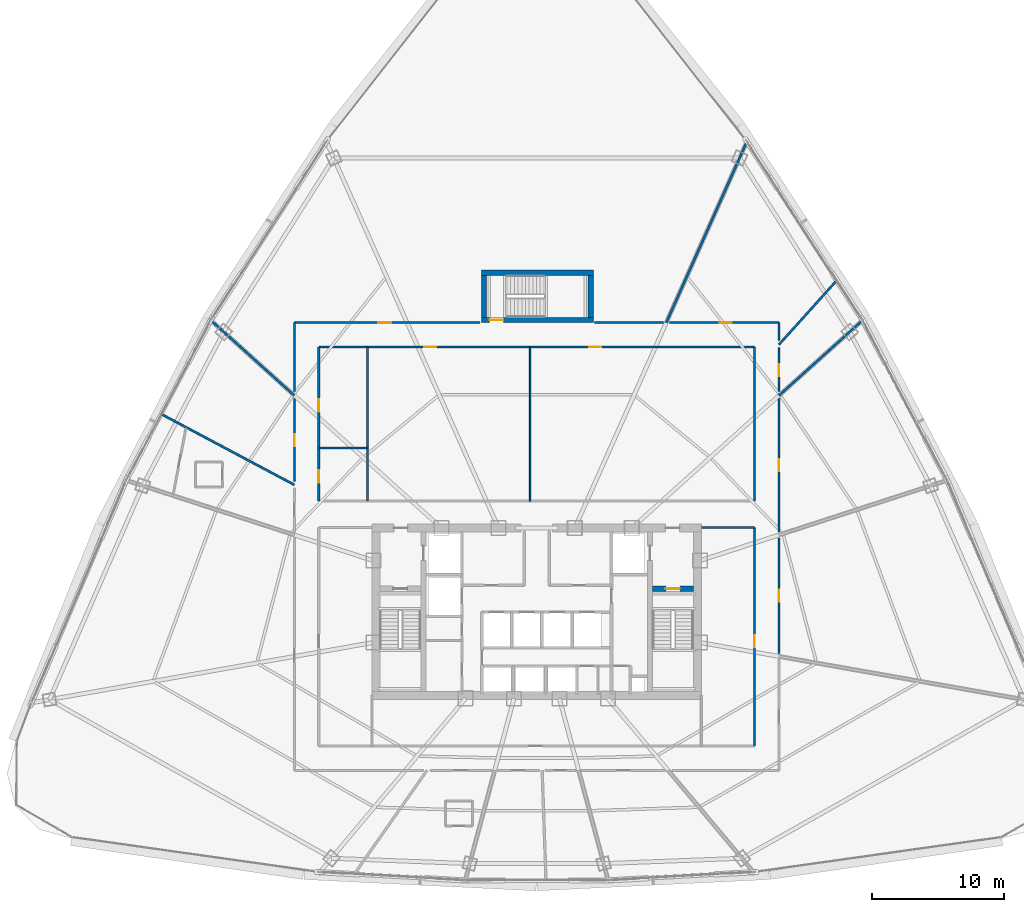
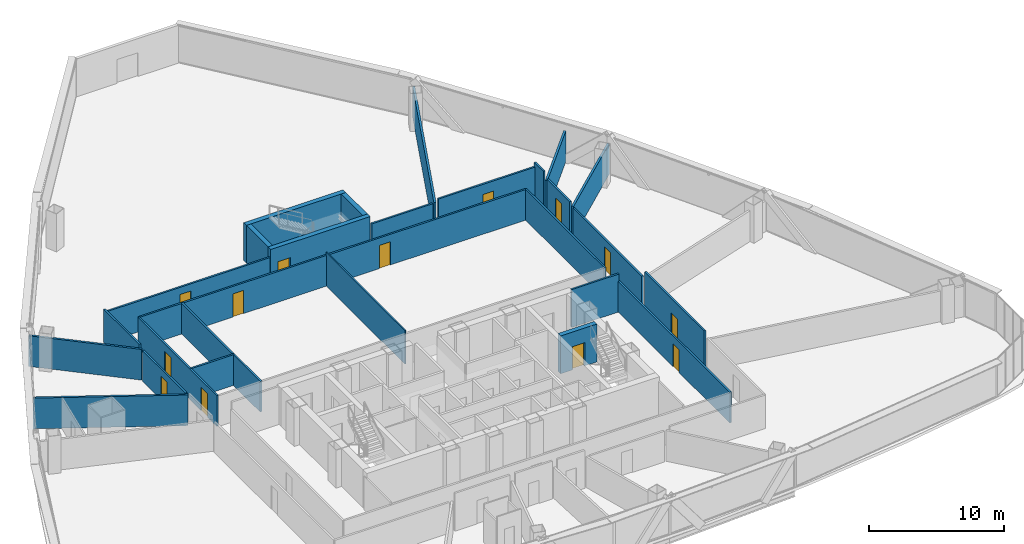
# One storey, part 36 of 41: 27 walls, 13 doors, 13 openings.
"""IFC4 building model written with IfcOpenShell, lengths in metres."""

from ifc_helpers import new_model, si_unit, direction, frame, frame_2d, origin, origin_with_axes, place, context, subcontext, project, spatial, rectangle, extrude, source, transform, mapped, material, layer, layer_set, type_object, element, fill, save


model = new_model("IFC4")

# Units and contexts
model_context = context("Model", 3, precision=1e-05, world=origin(), true_north=direction((0.0, 1.0)))
body_context = subcontext(model_context, "Body", "Model", "MODEL_VIEW")
ifc_project = project(units=[si_unit("LENGTHUNIT", "METRE"), si_unit("AREAUNIT", "SQUARE_METRE"), si_unit("VOLUMEUNIT", "CUBIC_METRE"), si_unit("PLANEANGLEUNIT", "RADIAN"), si_unit("MASSUNIT", "GRAM", prefix="KILO"), si_unit("THERMODYNAMICTEMPERATUREUNIT", "KELVIN"), si_unit("POWERUNIT", "WATT")], contexts=[model_context])

# Site, building, storey
site_placement = place(None, origin())
site = spatial("IfcSite", under=ifc_project, at=site_placement, CompositionType="ELEMENT")
building_placement = place(site_placement, origin())
building = spatial("IfcBuilding", under=site, at=building_placement, Name="Yunzhuo Pagoda Commons", CompositionType="ELEMENT")
storey_placement = place(building_placement, frame((0.0, 0.0, 155.590087890625)))
storey = spatial("IfcBuildingStorey", under=building, at=storey_placement, Name="L39", CompositionType="ELEMENT", Elevation=155.590087890625)

# Wall, openings, doors
ifc_material_1 = material(Name="Gypsum plasterboard on acoustic stud")
ifc_layer_1 = layer(ifc_material_1, 0.155029296875)
ifc_layer_set_1 = layer_set([ifc_layer_1], Name="Gypsum plasterboard on acoustic stud")
wall_type_1 = type_object("IfcWallType", Name="W-COR2 Mid-Zone Rated Corridor Wall 155", PredefinedType="PARTITIONING", material=ifc_layer_set_1)
wall_1_placement = place(storey_placement, frame((31.449951171875, 53.949951171875, 0.0), z_axis=(0.0, 0.0, 1.0), x_axis=(1.0, 0.0, 0.0)))
wall_1 = element("IfcWall", 1, at=wall_1_placement, inside=storey, type_object=wall_type_1, Name="L39 interior wall IW-L39-MCNN", PredefinedType="PARTITIONING", context=body_context, shape_type="SweptSolid", body=[
    extrude(rectangle(XDim=33.10009765625, YDim=0.155029296875, at=frame_2d((16.550048828125, 0.0))), origin(), (0.0, 0.0, 1.0), 2.77001953125),
])
opening_1_placement = place(wall_1_placement, frame((8.0, 0.0, 0.0)))
opening_1 = element("IfcOpeningElement", 2, at=opening_1_placement, cuts=wall_1, Name="Opening D-04", PredefinedType="OPENING", context=body_context, shape_type="SweptSolid", body=[
    extrude(rectangle(XDim=0.919921875, YDim=2.10009765625, at=frame_2d((0.4599609375, 1.050048828125))), frame((0.0, 0.08740234375, 0.0), z_axis=(0.0, -1.0, 0.0), x_axis=(1.0, 0.0, 0.0)), (0.0, 0.0, 1.0), 0.175048828125),
])
opening_2_placement = place(wall_1_placement, frame((20.550048828125, 0.0, 0.0)))
opening_2 = element("IfcOpeningElement", 3, at=opening_2_placement, cuts=wall_1, Name="Opening D-04", PredefinedType="OPENING", context=body_context, shape_type="SweptSolid", body=[
    extrude(rectangle(XDim=0.919921875, YDim=2.10009765625, at=frame_2d((0.4599609375, 1.050048828125))), frame((0.0, 0.08740234375, 0.0), z_axis=(0.0, -1.0, 0.0), x_axis=(1.0, 0.0, 0.0)), (0.0, 0.0, 1.0), 0.175048828125),
])
ifc_material_2 = material(Name="Powder-coated aluminium and timber acoustic leaf", Category="wood")
door_type_1 = type_object("IfcDoorType", Name="D-04 Bedroom & Study Interior Door 920x2100", OperationType="NOTDEFINED", PredefinedType="DOOR", material=ifc_material_2)
shared_shape_1 = source(origin(), body_context, "Body", "SweptSolid", [
    extrude(rectangle(XDim=0.919921875, YDim=2.10009765625, at=frame_2d((0.4599609375, 1.050048828125))), frame((0.0, 0.02490234375, 0.0), z_axis=(0.0, -1.0, 0.0), x_axis=(1.0, 0.0, 0.0)), (0.0, 0.0, 1.0), 0.050048828125),
])
door_1_placement = place(opening_1_placement, origin_with_axes())
door_1 = element("IfcDoor", 4, at=door_1_placement, inside=storey, type_object=door_type_1, Name="L39 reading commons door", OperationType="SINGLE_SWING_LEFT", OverallHeight=2.10009765625, OverallWidth=0.919921875, PredefinedType="DOOR", context=body_context, shape_type="MappedRepresentation", body=[
    mapped(shared_shape_1, transform((0.0, 0.0, 0.0), scale=1.0)),
])
fill(opening_1, door_1)
door_2_placement = place(opening_2_placement, origin_with_axes())
door_2 = element("IfcDoor", 5, at=door_2_placement, inside=storey, type_object=door_type_1, Name="L39 seminar commons door", OperationType="SINGLE_SWING_RIGHT", OverallHeight=2.10009765625, OverallWidth=0.919921875, PredefinedType="DOOR", context=body_context, shape_type="MappedRepresentation", body=[
    mapped(shared_shape_1, transform((0.0, 0.0, 0.0), scale=1.0)),
])
fill(opening_2, door_2)

wall_2_placement = place(storey_placement, frame((31.449951171875, 42.25, 0.0), z_axis=(0.0, 0.0, 1.0), x_axis=(0.0, 1.0, 0.0)))
wall_2 = element("IfcWall", 6, at=wall_2_placement, inside=storey, type_object=wall_type_1, Name="L39 interior wall IW-L39-MCNW", PredefinedType="PARTITIONING", context=body_context, shape_type="SweptSolid", body=[
    extrude(rectangle(XDim=11.699951171875, YDim=0.155029296875, at=frame_2d((5.85009765625, 0.0))), origin(), (0.0, 0.0, 1.0), 2.77001953125),
])
opening_3_placement = place(wall_2_placement, frame((1.39990234375, 0.0, 0.0)))
opening_3 = element("IfcOpeningElement", 7, at=opening_3_placement, cuts=wall_2, Name="Opening D-11", PredefinedType="OPENING", context=body_context, shape_type="SweptSolid", body=[
    extrude(rectangle(XDim=0.93994140625, YDim=2.10009765625, at=frame_2d((0.469970703125, 1.050048828125))), frame((0.0, 0.08740234375, 0.0), z_axis=(0.0, -1.0, 0.0), x_axis=(1.0, 0.0, 0.0)), (0.0, 0.0, 1.0), 0.175048828125),
])
opening_4_placement = place(wall_2_placement, frame((6.800048828125, 0.0, 0.0)))
opening_4 = element("IfcOpeningElement", 8, at=opening_4_placement, cuts=wall_2, Name="Opening D-04", PredefinedType="OPENING", context=body_context, shape_type="SweptSolid", body=[
    extrude(rectangle(XDim=0.919921875, YDim=2.10009765625, at=frame_2d((0.4599609375, 1.050048828125))), frame((0.0, 0.08740234375, 0.0), z_axis=(0.0, -1.0, 0.0), x_axis=(1.0, 0.0, 0.0)), (0.0, 0.0, 1.0), 0.175048828125),
])
ifc_material_3 = material(Name="Galvanized fire-resisting metal leaf")
door_type_2 = type_object("IfcDoorType", Name="D-11 Accessible Washroom Fire Door 940x2100", OperationType="NOTDEFINED", PredefinedType="DOOR", material=ifc_material_3)
shared_shape_2 = source(origin(), body_context, "Body", "SweptSolid", [
    extrude(rectangle(XDim=0.93994140625, YDim=2.10009765625, at=frame_2d((0.469970703125, 1.050048828125))), frame((0.0, 0.02490234375, 0.0), z_axis=(0.0, -1.0, 0.0), x_axis=(1.0, 0.0, 0.0)), (0.0, 0.0, 1.0), 0.050048828125),
])
door_3_placement = place(opening_3_placement, origin_with_axes())
door_3 = element("IfcDoor", 9, at=door_3_placement, inside=storey, type_object=door_type_2, Name="L39 accessible WC door", OperationType="SINGLE_SWING_LEFT", OverallHeight=2.10009765625, OverallWidth=0.93994140625, PredefinedType="DOOR", context=body_context, shape_type="MappedRepresentation", body=[
    mapped(shared_shape_2, transform((0.0, 0.0, 0.0), scale=1.0)),
])
fill(opening_3, door_3)
door_4_placement = place(opening_4_placement, origin_with_axes())
door_4 = element("IfcDoor", 10, at=door_4_placement, inside=storey, type_object=door_type_1, Name="L39 laundry door", OperationType="SINGLE_SWING_RIGHT", OverallHeight=2.10009765625, OverallWidth=0.919921875, PredefinedType="DOOR", context=body_context, shape_type="MappedRepresentation", body=[
    mapped(shared_shape_1, transform((0.0, 0.0, 0.0), scale=1.0)),
])
fill(opening_4, door_4)

# Walls
for number, where, z_axis, x_axis, name in (
    (11, (64.550048828125, 42.25, 0.0), (0.0, 0.0, 1.0), (0.0, 1.0, 0.0), "L39 interior wall IW-L39-MCNE"),
    (12, (35.14990234375, 42.25, 0.0), (0.0, 0.0, 1.0), (0.0, 1.0, 0.0), "L39 interior wall IW-L39-MCWCE"),
):
    element("IfcWall", number, at=place(storey_placement, frame(where, z_axis=z_axis, x_axis=x_axis)), inside=storey, type_object=wall_type_1, Name=name, PredefinedType="PARTITIONING", context=body_context, shape_type="SweptSolid", body=[
        extrude(rectangle(XDim=11.699951171875, YDim=0.155029296875, at=frame_2d((5.85009765625, 0.0))), origin(), (0.0, 0.0, 1.0), 2.77001953125),
    ])
wall_3_placement = place(storey_placement, frame((31.449951171875, 46.300048828125, 0.0), z_axis=(0.0, 0.0, 1.0), x_axis=(1.0, 0.0, 0.0)))
element("IfcWall", 13, at=wall_3_placement, inside=storey, type_object=wall_type_1, Name="L39 interior wall IW-L39-MCWCN", PredefinedType="PARTITIONING", context=body_context, shape_type="SweptSolid", body=[
    extrude(rectangle(XDim=3.699951171875, YDim=0.155029296875, at=frame_2d((1.85009765625, 0.0))), origin(), (0.0, 0.0, 1.0), 2.77001953125),
])

# Wall, opening, door
wall_4_placement = place(storey_placement, frame((64.550048828125, 23.64990234375, 0.0), z_axis=(0.0, 0.0, 1.0), x_axis=(0.0, 1.0, 0.0)))
wall_4 = element("IfcWall", 14, at=wall_4_placement, inside=storey, type_object=wall_type_1, Name="L39 interior wall IW-L39-SFLE", PredefinedType="PARTITIONING", context=body_context, shape_type="SweptSolid", body=[
    extrude(rectangle(XDim=16.60009765625, YDim=0.155029296875, at=frame_2d((8.300048828125, 0.0))), origin(), (0.0, 0.0, 1.0), 2.77001953125),
])
opening_5_placement = place(wall_4_placement, frame((7.5, 0.0, 0.0)))
opening_5 = element("IfcOpeningElement", 15, at=opening_5_placement, cuts=wall_4, Name="Opening D-12", PredefinedType="OPENING", context=body_context, shape_type="SweptSolid", body=[
    extrude(rectangle(XDim=0.89990234375, YDim=2.080078125, at=frame_2d((0.449951171875, 1.0400390625))), frame((0.0, 0.08740234375, 0.0), z_axis=(0.0, -1.0, 0.0), x_axis=(1.0, 0.0, 0.0)), (0.0, 0.0, 1.0), 0.175048828125),
])
door_type_3 = type_object("IfcDoorType", Name="D-12 Quiet Study Interior Door 900x2080", OperationType="NOTDEFINED", PredefinedType="DOOR", material=ifc_material_2)
shared_shape_3 = source(origin(), body_context, "Body", "SweptSolid", [
    extrude(rectangle(XDim=0.89990234375, YDim=2.080078125, at=frame_2d((0.449951171875, 1.0400390625))), frame((0.0, 0.02490234375, 0.0), z_axis=(0.0, -1.0, 0.0), x_axis=(1.0, 0.0, 0.0)), (0.0, 0.0, 1.0), 0.050048828125),
])
door_5_placement = place(opening_5_placement, frame((0.89990234375, 0.0, 0.0), z_axis=(0.0, 0.0, 1.0), x_axis=(-1.0, 0.0, 0.0)))
door_5 = element("IfcDoor", 16, at=door_5_placement, inside=storey, type_object=door_type_3, Name="L39 east study workroom door", OperationType="SINGLE_SWING_RIGHT", OverallHeight=2.080078125, OverallWidth=0.89990234375, PredefinedType="DOOR", context=body_context, shape_type="MappedRepresentation", body=[
    mapped(shared_shape_3, transform((0.0, 0.0, 0.0), scale=1.0)),
])
fill(opening_5, door_5)

# Wall
wall_5_placement = place(storey_placement, frame((60.5, 40.25, 0.0), z_axis=(0.0, 0.0, 1.0), x_axis=(1.0, 0.0, 0.0)))
element("IfcWall", 17, at=wall_5_placement, inside=storey, type_object=wall_type_1, Name="L39 interior wall IW-L39-SFLNE", PredefinedType="PARTITIONING", context=body_context, shape_type="SweptSolid", body=[
    extrude(rectangle(XDim=4.050048828125, YDim=0.155029296875, at=frame_2d((2.02490234375, 0.0))), origin(), (0.0, 0.0, 1.0), 3.419921875),
])

# Wall, opening, door
wall_6_placement = place(storey_placement, frame((29.60009765625, 43.732666015625, 0.0), z_axis=(0.0, 0.0, 1.0), x_axis=(0.0, 1.0, 0.0)))
wall_6 = element("IfcWall", 18, at=wall_6_placement, inside=storey, type_object=wall_type_1, Name="L39 interior wall IW-L39-CWL03", PredefinedType="PARTITIONING", context=body_context, shape_type="SweptSolid", body=[
    extrude(rectangle(XDim=6.31494140625, YDim=0.155029296875, at=frame_2d((3.157470703125, 0.0))), origin(), (0.0, 0.0, 1.0), 2.77001953125),
])
opening_6_placement = place(wall_6_placement, frame((2.6826171875, 0.0, 0.0)))
opening_6 = element("IfcOpeningElement", 19, at=opening_6_placement, cuts=wall_6, Name="Opening D-04", PredefinedType="OPENING", context=body_context, shape_type="SweptSolid", body=[
    extrude(rectangle(XDim=0.919921875, YDim=2.10009765625, at=frame_2d((0.4599609375, 1.050048828125))), frame((0.0, 0.08740234375, 0.0), z_axis=(0.0, -1.0, 0.0), x_axis=(1.0, 0.0, 0.0)), (0.0, 0.0, 1.0), 0.175048828125),
])
door_6_placement = place(opening_6_placement, origin_with_axes())
door_6 = element("IfcDoor", 20, at=door_6_placement, inside=storey, type_object=door_type_1, Name="L39 seminar room 06 door", OperationType="SINGLE_SWING_RIGHT", OverallHeight=2.10009765625, OverallWidth=0.919921875, PredefinedType="DOOR", context=body_context, shape_type="MappedRepresentation", body=[
    mapped(shared_shape_1, transform((0.0, 0.0, 0.0), scale=1.0)),
])
fill(opening_6, door_6)

# Wall
wall_7_placement = place(storey_placement, frame((29.60009765625, 50.5634765625, 0.0), z_axis=(0.0, 0.0, 1.0), x_axis=(0.0, 1.0, 0.0)))
element("IfcWall", 21, at=wall_7_placement, inside=storey, type_object=wall_type_1, Name="L39 interior wall IW-L39-CWL04", PredefinedType="PARTITIONING", context=body_context, shape_type="SweptSolid", body=[
    extrude(rectangle(XDim=5.236572265625, YDim=0.155029296875, at=frame_2d((2.6181640625, 0.0))), origin(), (0.0, 0.0, 1.0), 3.02001953125),
])

# Wall, opening, door
wall_8_placement = place(storey_placement, frame((29.60009765625, 55.800048828125, 0.0), z_axis=(0.0, 0.0, 1.0), x_axis=(1.0, 0.0, 0.0)))
wall_8 = element("IfcWall", 22, at=wall_8_placement, inside=storey, type_object=wall_type_1, Name="L39 interior wall IW-L39-CWL05", PredefinedType="PARTITIONING", context=body_context, shape_type="SweptSolid", body=[
    extrude(rectangle(XDim=14.10888671875, YDim=0.155029296875, at=frame_2d((7.054443359375, 0.0))), origin(), (0.0, 0.0, 1.0), 2.77001953125),
])
opening_7_placement = place(wall_8_placement, frame((6.385009765625, 0.0, 0.0)))
opening_7 = element("IfcOpeningElement", 23, at=opening_7_placement, cuts=wall_8, Name="Opening D-07", PredefinedType="OPENING", context=body_context, shape_type="SweptSolid", body=[
    extrude(rectangle(XDim=0.9599609375, YDim=2.1201171875, at=frame_2d((0.47998046875, 1.06005859375))), frame((0.0, 0.08740234375, 0.0), z_axis=(0.0, -1.0, 0.0), x_axis=(1.0, 0.0, 0.0)), (0.0, 0.0, 1.0), 0.175048828125),
])
door_type_4 = type_object("IfcDoorType", Name="D-07 Mid-Zone Suite Entrance Fire Door 960x2120", OperationType="NOTDEFINED", PredefinedType="DOOR", material=ifc_material_3)
shared_shape_4 = source(origin(), body_context, "Body", "SweptSolid", [
    extrude(rectangle(XDim=0.9599609375, YDim=2.1201171875, at=frame_2d((0.47998046875, 1.06005859375))), frame((0.0, 0.02490234375, 0.0), z_axis=(0.0, -1.0, 0.0), x_axis=(1.0, 0.0, 0.0)), (0.0, 0.0, 1.0), 0.050048828125),
])
door_7_placement = place(opening_7_placement, origin_with_axes())
door_7 = element("IfcDoor", 24, at=door_7_placement, inside=storey, type_object=door_type_4, Name="L39 Shared Resident Kitchen and Pantry door", OperationType="SINGLE_SWING_LEFT", OverallHeight=2.1201171875, OverallWidth=0.9599609375, PredefinedType="DOOR", context=body_context, shape_type="MappedRepresentation", body=[
    mapped(shared_shape_4, transform((0.0, 0.0, 0.0), scale=1.0)),
])
fill(opening_7, door_7)

# Wall
wall_9_placement = place(storey_placement, frame((52.39111328125, 55.800048828125, 0.0), z_axis=(0.0, 0.0, 1.0), x_axis=(1.0, 0.0, 0.0)))
element("IfcWall", 25, at=wall_9_placement, inside=storey, type_object=wall_type_1, Name="L39 interior wall IW-L39-CWL06", PredefinedType="PARTITIONING", context=body_context, shape_type="SweptSolid", body=[
    extrude(rectangle(XDim=5.228759765625, YDim=0.155029296875, at=frame_2d((2.6142578125, 0.0))), origin(), (0.0, 0.0, 1.0), 2.77001953125),
])

# Wall, opening, door
wall_10_placement = place(storey_placement, frame((58.080322265625, 55.800048828125, 0.0), z_axis=(0.0, 0.0, 1.0), x_axis=(1.0, 0.0, 0.0)))
wall_10 = element("IfcWall", 26, at=wall_10_placement, inside=storey, type_object=wall_type_1, Name="L39 interior wall IW-L39-CWL07", PredefinedType="PARTITIONING", context=body_context, shape_type="SweptSolid", body=[
    extrude(rectangle(XDim=8.319580078125, YDim=0.155029296875, at=frame_2d((4.15966796875, 0.0))), origin(), (0.0, 0.0, 1.0), 3.02001953125),
])
opening_8_placement = place(wall_10_placement, frame((3.809326171875, 0.0, 0.0)))
opening_8 = element("IfcOpeningElement", 27, at=opening_8_placement, cuts=wall_10, Name="Opening D-04", PredefinedType="OPENING", context=body_context, shape_type="SweptSolid", body=[
    extrude(rectangle(XDim=0.919921875, YDim=2.10009765625, at=frame_2d((0.4599609375, 1.050048828125))), frame((0.0, 0.08740234375, 0.0), z_axis=(0.0, -1.0, 0.0), x_axis=(1.0, 0.0, 0.0)), (0.0, 0.0, 1.0), 0.175048828125),
])
door_8_placement = place(opening_8_placement, origin_with_axes())
door_8 = element("IfcDoor", 28, at=door_8_placement, inside=storey, type_object=door_type_1, Name="L39 seminar room 04 door", OperationType="SINGLE_SWING_RIGHT", OverallHeight=2.10009765625, OverallWidth=0.919921875, PredefinedType="DOOR", context=body_context, shape_type="MappedRepresentation", body=[
    mapped(shared_shape_1, transform((0.0, 0.0, 0.0), scale=1.0)),
])
fill(opening_8, door_8)

# Wall
wall_11_placement = place(storey_placement, frame((66.39990234375, 55.800048828125, 0.0), z_axis=(0.0, 0.0, 1.0), x_axis=(0.0, -1.0, 0.0)))
element("IfcWall", 29, at=wall_11_placement, inside=storey, type_object=wall_type_1, Name="L39 interior wall IW-L39-CWL08", PredefinedType="PARTITIONING", context=body_context, shape_type="SweptSolid", body=[
    extrude(rectangle(XDim=1.3359375, YDim=0.155029296875, at=frame_2d((0.66796875, 0.0))), origin(), (0.0, 0.0, 1.0), 3.419921875),
])

# Wall, opening, door
wall_12_placement = place(storey_placement, frame((66.39990234375, 53.91552734375, 0.0), z_axis=(0.0, 0.0, 1.0), x_axis=(0.0, -1.0, 0.0)))
wall_12 = element("IfcWall", 30, at=wall_12_placement, inside=storey, type_object=wall_type_1, Name="L39 interior wall IW-L39-CWL09", PredefinedType="PARTITIONING", context=body_context, shape_type="SweptSolid", body=[
    extrude(rectangle(XDim=3.35205078125, YDim=0.155029296875, at=frame_2d((1.676025390625, 0.0))), origin(), (0.0, 0.0, 1.0), 3.02001953125),
])
opening_9_placement = place(wall_12_placement, frame((1.254150390625, 0.0, 0.0)))
opening_9 = element("IfcOpeningElement", 31, at=opening_9_placement, cuts=wall_12, Name="Opening D-04", PredefinedType="OPENING", context=body_context, shape_type="SweptSolid", body=[
    extrude(rectangle(XDim=0.919921875, YDim=2.10009765625, at=frame_2d((0.4599609375, 1.050048828125))), frame((0.0, 0.08740234375, 0.0), z_axis=(0.0, -1.0, 0.0), x_axis=(1.0, 0.0, 0.0)), (0.0, 0.0, 1.0), 0.175048828125),
])
door_9_placement = place(opening_9_placement, origin_with_axes())
door_9 = element("IfcDoor", 32, at=door_9_placement, inside=storey, type_object=door_type_1, Name="L39 seminar room 03 door", OperationType="SINGLE_SWING_LEFT", OverallHeight=2.10009765625, OverallWidth=0.919921875, PredefinedType="DOOR", context=body_context, shape_type="MappedRepresentation", body=[
    mapped(shared_shape_1, transform((0.0, 0.0, 0.0), scale=1.0)),
])
fill(opening_9, door_9)

wall_13_placement = place(storey_placement, frame((66.39990234375, 50.047607421875, 0.0), z_axis=(0.0, 0.0, 1.0), x_axis=(0.0, -1.0, 0.0)))
wall_13 = element("IfcWall", 33, at=wall_13_placement, inside=storey, type_object=wall_type_1, Name="L39 interior wall IW-L39-CWL10", PredefinedType="PARTITIONING", context=body_context, shape_type="SweptSolid", body=[
    extrude(rectangle(XDim=10.1376953125, YDim=0.155029296875, at=frame_2d((5.06884765625, 0.0))), origin(), (0.0, 0.0, 1.0), 2.77001953125),
])
opening_10_placement = place(wall_13_placement, frame((4.61474609375, 0.0, 0.0)))
opening_10 = element("IfcOpeningElement", 34, at=opening_10_placement, cuts=wall_13, Name="Opening D-04", PredefinedType="OPENING", context=body_context, shape_type="SweptSolid", body=[
    extrude(rectangle(XDim=0.919921875, YDim=2.10009765625, at=frame_2d((0.4599609375, 1.050048828125))), frame((0.0, 0.08740234375, 0.0), z_axis=(0.0, -1.0, 0.0), x_axis=(1.0, 0.0, 0.0)), (0.0, 0.0, 1.0), 0.175048828125),
])
door_10_placement = place(opening_10_placement, origin_with_axes())
door_10 = element("IfcDoor", 35, at=door_10_placement, inside=storey, type_object=door_type_1, Name="L39 seminar room 02 door", OperationType="SINGLE_SWING_RIGHT", OverallHeight=2.10009765625, OverallWidth=0.919921875, PredefinedType="DOOR", context=body_context, shape_type="MappedRepresentation", body=[
    mapped(shared_shape_1, transform((0.0, 0.0, 0.0), scale=1.0)),
])
fill(opening_10, door_10)

wall_14_placement = place(storey_placement, frame((66.39990234375, 39.458740234375, 0.0), z_axis=(0.0, 0.0, 1.0), x_axis=(0.0, -1.0, 0.0)))
wall_14 = element("IfcWall", 36, at=wall_14_placement, inside=storey, type_object=wall_type_1, Name="L39 interior wall IW-L39-CWL11", PredefinedType="PARTITIONING", context=body_context, shape_type="SweptSolid", body=[
    extrude(rectangle(XDim=8.783447265625, YDim=0.155029296875, at=frame_2d((4.3916015625, 0.0))), origin(), (0.0, 0.0, 1.0), 3.419921875),
])
opening_11_placement = place(wall_14_placement, frame((3.931640625, 0.0, 0.0)))
opening_11 = element("IfcOpeningElement", 37, at=opening_11_placement, cuts=wall_14, Name="Opening D-04", PredefinedType="OPENING", context=body_context, shape_type="SweptSolid", body=[
    extrude(rectangle(XDim=0.919921875, YDim=2.10009765625, at=frame_2d((0.4599609375, 1.050048828125))), frame((0.0, 0.08740234375, 0.0), z_axis=(0.0, -1.0, 0.0), x_axis=(1.0, 0.0, 0.0)), (0.0, 0.0, 1.0), 0.175048828125),
])
door_11_placement = place(opening_11_placement, origin_with_axes())
door_11 = element("IfcDoor", 38, at=door_11_placement, inside=storey, type_object=door_type_1, Name="L39 seminar room 01 door", OperationType="SINGLE_SWING_LEFT", OverallHeight=2.10009765625, OverallWidth=0.919921875, PredefinedType="DOOR", context=body_context, shape_type="MappedRepresentation", body=[
    mapped(shared_shape_1, transform((0.0, 0.0, 0.0), scale=1.0)),
])
fill(opening_11, door_11)

# Walls
ifc_layer_2 = layer(ifc_material_1, 0.1201171875)
ifc_layer_set_2 = layer_set([ifc_layer_2], Name="Gypsum plasterboard on acoustic stud")
wall_type_2 = type_object("IfcWallType", Name="W-PRT1 Suite & Bathroom Partition 120", PredefinedType="PARTITIONING", material=ifc_layer_set_2)
wall_15_placement = place(storey_placement, frame((47.5, 42.25, 0.0), z_axis=(0.0, 0.0, 1.0), x_axis=(0.0, 1.0, 0.0)))
element("IfcWall", 39, at=wall_15_placement, inside=storey, type_object=wall_type_2, Name="L39 interior wall IW-L39-MCDIV", PredefinedType="PARTITIONING", context=body_context, shape_type="SweptSolid", body=[
    extrude(rectangle(XDim=11.699951171875, YDim=0.1201171875, at=frame_2d((5.85009765625, 0.0))), origin(), (0.0, 0.0, 1.0), 3.02001953125),
])
ifc_layer_3 = layer(ifc_material_1, 0.175048828125)
ifc_layer_set_3 = layer_set([ifc_layer_3], Name="Gypsum plasterboard on acoustic stud")
wall_type_3 = type_object("IfcWallType", Name="W-PRT3 Mid-Zone Demising Wall 175", PredefinedType="PARTITIONING", material=ifc_layer_set_3)
wall_16_placement = place(storey_placement, frame((66.39990234375, 50.267333984375, 0.0), z_axis=(0.0, 0.0, 1.0), x_axis=(0.743147926867, 0.669127161901, 0.0)))
element("IfcWall", 40, at=wall_16_placement, inside=storey, type_object=wall_type_3, Name="L39 interior wall IW-L39-RAD02", PredefinedType="PARTITIONING", context=body_context, shape_type="SweptSolid", body=[
    extrude(rectangle(XDim=8.552490234375, YDim=0.175048828125, at=frame_2d((4.2763671875, 0.0))), origin(), (0.0, 0.0, 1.0), 2.77001953125),
])
wall_17_placement = place(storey_placement, frame((66.39990234375, 54.13525390625, 0.0), z_axis=(0.0, 0.0, 1.0), x_axis=(0.669139250318, 0.74313704233, 0.0)))
element("IfcWall", 41, at=wall_17_placement, inside=storey, type_object=wall_type_3, Name="L39 interior wall IW-L39-RAD03", PredefinedType="PARTITIONING", context=body_context, shape_type="SweptSolid", body=[
    extrude(rectangle(XDim=6.56884765625, YDim=0.175048828125, at=frame_2d((3.284423828125, 0.0))), origin(), (0.0, 0.0, 1.0), 2.77001953125),
])
wall_18_placement = place(storey_placement, frame((57.839599609375, 55.800048828125, 0.0), z_axis=(0.0, 0.0, 1.0), x_axis=(0.406736829456, 0.913545374661, 0.0)))
element("IfcWall", 42, at=wall_18_placement, inside=storey, type_object=wall_type_3, Name="L39 interior wall IW-L39-RAD04", PredefinedType="PARTITIONING", context=body_context, shape_type="SweptSolid", body=[
    extrude(rectangle(XDim=15.06494140625, YDim=0.175048828125, at=frame_2d((7.532470703125, 0.0))), origin(), (0.0, 0.0, 1.0), 2.77001953125),
])
wall_19_placement = place(storey_placement, frame((29.60009765625, 50.267333984375, 0.0), z_axis=(0.0, 0.0, 1.0), x_axis=(-0.743147926867, 0.669127161901, 0.0)))
element("IfcWall", 43, at=wall_19_placement, inside=storey, type_object=wall_type_3, Name="L39 interior wall IW-L39-RAD05", PredefinedType="PARTITIONING", context=body_context, shape_type="SweptSolid", body=[
    extrude(rectangle(XDim=8.552490234375, YDim=0.175048828125, at=frame_2d((4.2763671875, 0.0))), origin(), (0.0, 0.0, 1.0), 2.77001953125),
])
wall_20_placement = place(storey_placement, frame((29.60009765625, 43.4833984375, 0.0), z_axis=(0.0, 0.0, 1.0), x_axis=(-0.882944706502, 0.469476991193, 0.0)))
element("IfcWall", 44, at=wall_20_placement, inside=storey, type_object=wall_type_3, Name="L39 interior wall IW-L39-RAD06", PredefinedType="PARTITIONING", context=body_context, shape_type="SweptSolid", body=[
    extrude(rectangle(XDim=11.464111328125, YDim=0.175048828125, at=frame_2d((5.73193359375, 0.0))), origin(), (0.0, 0.0, 1.0), 2.77001953125),
])

# Wall, opening, door
ifc_material_4 = material(Name="Concrete C60", Category="concrete")
ifc_layer_4 = layer(ifc_material_4, 0.39990234375)
ifc_layer_set_4 = layer_set([ifc_layer_4], Name="Concrete C60")
wall_type_4 = type_object("IfcWallType", Name="W-S01 Internal Core Shear Web 400", PredefinedType="SHEAR", material=ifc_layer_set_4)
wall_21_placement = place(storey_placement, frame((56.800048828125, 35.60009765625, 0.0), z_axis=(0.0, 0.0, 1.0), x_axis=(1.0, 0.0, 0.0)))
wall_21 = element("IfcWall", 45, at=wall_21_placement, inside=storey, type_object=wall_type_4, Name="L39 core shear wall STE", PredefinedType="SHEAR", context=body_context, shape_type="SweptSolid", body=[
    extrude(rectangle(XDim=3.099853515625, YDim=0.39990234375, at=frame_2d((1.5498046875, 0.0))), origin(), (0.0, 0.0, 1.0), 3.419921875),
])
opening_12_placement = place(wall_21_placement, frame((1.02001953125, 0.0, 0.0)))
opening_12 = element("IfcOpeningElement", 46, at=opening_12_placement, cuts=wall_21, Name="Opening D-01", PredefinedType="OPENING", context=body_context, shape_type="SweptSolid", body=[
    extrude(rectangle(XDim=1.050048828125, YDim=2.10009765625, at=frame_2d((0.52490234375, 1.050048828125))), frame((0.0, 0.2099609375, 0.0), z_axis=(0.0, -1.0, 0.0), x_axis=(1.0, 0.0, 0.0)), (0.0, 0.0, 1.0), 0.419921875),
])
door_type_5 = type_object("IfcDoorType", Name="D-01 Smokeproof Stair Fire Door 1050x2100", OperationType="NOTDEFINED", PredefinedType="DOOR", material=ifc_material_3)
shared_shape_5 = source(origin(), body_context, "Body", "SweptSolid", [
    extrude(rectangle(XDim=1.050048828125, YDim=2.10009765625, at=frame_2d((0.52490234375, 1.050048828125))), frame((0.0, 0.02490234375, 0.0), z_axis=(0.0, -1.0, 0.0), x_axis=(1.0, 0.0, 0.0)), (0.0, 0.0, 1.0), 0.050048828125),
])
door_12_placement = place(opening_12_placement, frame((1.050048828125, 0.0, 0.0), z_axis=(0.0, 0.0, 1.0), x_axis=(-1.0, 0.0, 0.0)))
door_12 = element("IfcDoor", 47, at=door_12_placement, inside=storey, type_object=door_type_5, Name="L39 Stair ST2 fire door", OperationType="SINGLE_SWING_RIGHT", OverallHeight=2.10009765625, OverallWidth=1.050048828125, PredefinedType="DOOR", context=body_context, shape_type="MappedRepresentation", body=[
    mapped(shared_shape_5, transform((0.0, 0.0, 0.0), scale=1.0)),
])
fill(opening_12, door_12)

# Wall
wall_22_placement = place(storey_placement, frame((43.800048828125, 59.60009765625, 0.0), z_axis=(0.0, 0.0, 1.0), x_axis=(1.0, 0.0, 0.0)))
element("IfcWall", 48, at=wall_22_placement, inside=storey, type_object=wall_type_4, Name="L39 ST3 structural stair wall N", PredefinedType="SHEAR", context=body_context, shape_type="SweptSolid", body=[
    extrude(rectangle(XDim=8.5, YDim=0.39990234375, at=frame_2d((4.25, 0.0))), origin(), (0.0, 0.0, 1.0), 3.419921875),
])

# Wall, opening, door
wall_23_placement = place(storey_placement, frame((43.800048828125, 56.0, 0.0), z_axis=(0.0, 0.0, 1.0), x_axis=(1.0, 0.0, 0.0)))
wall_23 = element("IfcWall", 49, at=wall_23_placement, inside=storey, type_object=wall_type_4, Name="L39 ST3 structural stair wall S", PredefinedType="SHEAR", context=body_context, shape_type="SweptSolid", body=[
    extrude(rectangle(XDim=8.5, YDim=0.39990234375, at=frame_2d((4.25, 0.0))), origin(), (0.0, 0.0, 1.0), 3.419921875),
])
opening_13_placement = place(wall_23_placement, frame((0.6201171875, 0.0, 0.0)))
opening_13 = element("IfcOpeningElement", 50, at=opening_13_placement, cuts=wall_23, Name="Opening D-01", PredefinedType="OPENING", context=body_context, shape_type="SweptSolid", body=[
    extrude(rectangle(XDim=1.050048828125, YDim=2.10009765625, at=frame_2d((0.52490234375, 1.050048828125))), frame((0.0, 0.2099609375, 0.0), z_axis=(0.0, -1.0, 0.0), x_axis=(1.0, 0.0, 0.0)), (0.0, 0.0, 1.0), 0.419921875),
])
door_13_placement = place(opening_13_placement, frame((1.050048828125, 0.0, 0.0), z_axis=(0.0, 0.0, 1.0), x_axis=(-1.0, 0.0, 0.0)))
door_13 = element("IfcDoor", 51, at=door_13_placement, inside=storey, type_object=door_type_5, Name="L39 Stair ST3 fire door", OperationType="SINGLE_SWING_LEFT", OverallHeight=2.10009765625, OverallWidth=1.050048828125, PredefinedType="DOOR", context=body_context, shape_type="MappedRepresentation", body=[
    mapped(shared_shape_5, transform((0.0, 0.0, 0.0), scale=1.0)),
])
fill(opening_13, door_13)

# Walls
for number, where, z_axis, x_axis, name in (
    (52, (44.0, 56.199951171875, 0.0), (0.0, 0.0, 1.0), (0.0, 1.0, 0.0), "L39 ST3 structural stair wall W"),
    (53, (52.10009765625, 56.199951171875, 0.0), (0.0, 0.0, 1.0), (0.0, 1.0, 0.0), "L39 ST3 structural stair wall E"),
):
    element("IfcWall", number, at=place(storey_placement, frame(where, z_axis=z_axis, x_axis=x_axis)), inside=storey, type_object=wall_type_4, Name=name, PredefinedType="SHEAR", context=body_context, shape_type="SweptSolid", body=[
        extrude(rectangle(XDim=3.199951171875, YDim=0.39990234375, at=frame_2d((1.60009765625, 0.0))), origin(), (0.0, 0.0, 1.0), 3.419921875),
    ])

save(model, "model.ifc")
